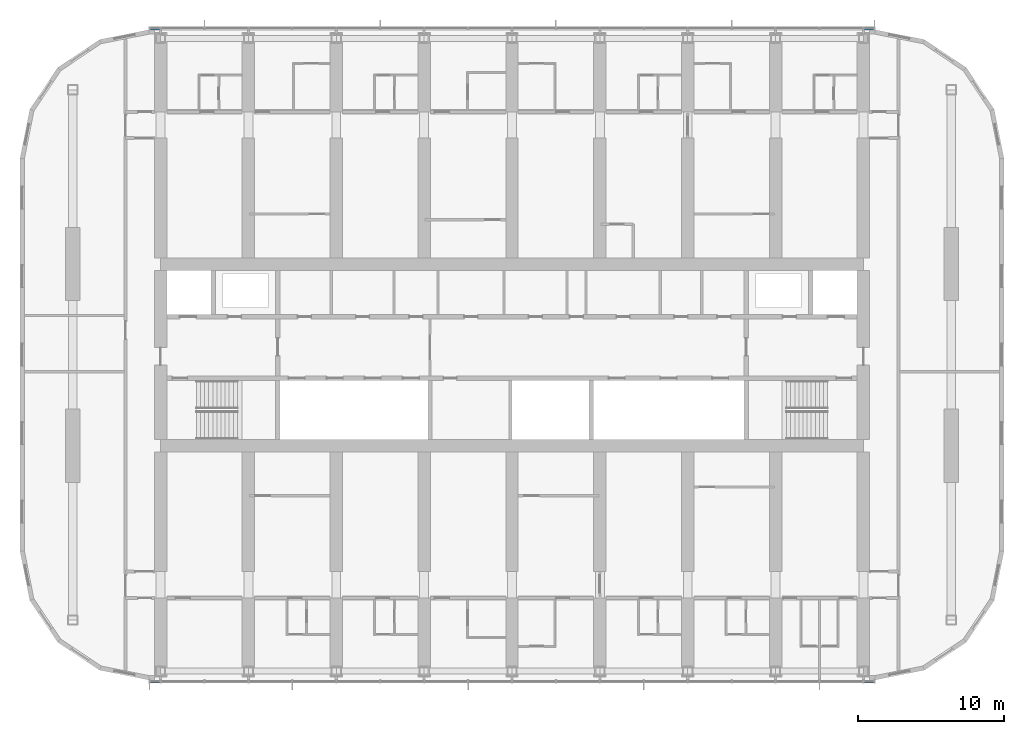
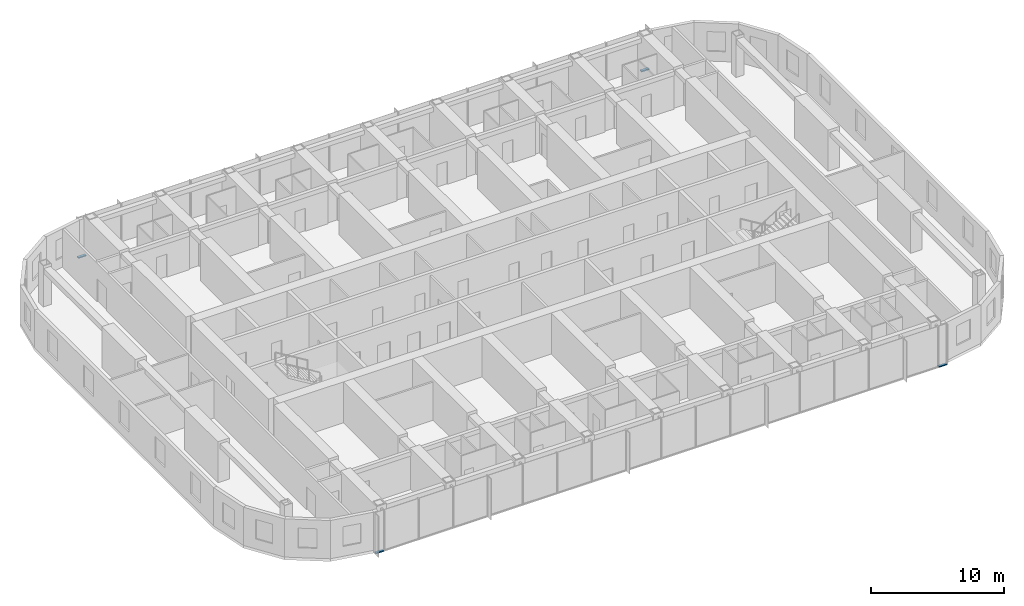
# One storey, part 6 of 22: 4 members, 2 elements without a shape of their own.
"""IFC4 building model written with IfcOpenShell, lengths in metres."""

from ifc_helpers import new_model, si_unit, direction, frame, origin, origin_2d, place, context, subcontext, project, spatial, rectangle, extrude, material, material_profile, profile_set, type_object, element, aggregate, save


model = new_model("IFC4")

# Units and contexts
model_context = context("Model", 3, precision=1e-05, world=origin(), true_north=direction((0.0, 1.0)))
body_context = subcontext(model_context, "Body", "Model", "MODEL_VIEW")
ifc_project = project(units=[si_unit("LENGTHUNIT", "METRE"), si_unit("AREAUNIT", "SQUARE_METRE"), si_unit("VOLUMEUNIT", "CUBIC_METRE"), si_unit("PLANEANGLEUNIT", "RADIAN"), si_unit("MASSUNIT", "GRAM", prefix="KILO")], contexts=[model_context])

# Site, building, storey
site_placement = place(None, origin())
site = spatial("IfcSite", under=ifc_project, at=site_placement, CompositionType="ELEMENT")
building_placement = place(site_placement, origin())
building = spatial("IfcBuilding", under=site, at=building_placement, Name="Orbita Commons", CompositionType="ELEMENT")
storey_placement = place(building_placement, frame((0.0, 0.0, 186.10009765625)))
storey = spatial("IfcBuildingStorey", under=building, at=storey_placement, Name="L46", CompositionType="ELEMENT", Elevation=186.10009765625)

# Curtain wall, members
ifc_material_1 = material(Name="Anodised aluminium frame, pale silver", Category="aluminium")
curtain_wall_type = type_object("IfcCurtainWallType", Name="Unitised curtain wall CW-U, full-height vision", PredefinedType="NOTDEFINED", material=ifc_material_1)
curtain_wall_1_placement = place(storey_placement, origin())
curtain_wall_1 = element("IfcCurtainWall", 1, at=curtain_wall_1_placement, inside=storey, type_object=curtain_wall_type, Name="Curtain wall south L46", PredefinedType="NOTDEFINED")
ifc_material_2 = material(Name="Anodised aluminium, pale silver", Category="aluminium")
ifc_material_profile = material_profile(ifc_material_2, rectangle(XDim=0.219970703125, YDim=0.10009765625, at=origin_2d()), Name="AL 220x100")
ifc_profile_set = profile_set([ifc_material_profile], Name="Anodised aluminium, pale silver")
member_type = type_object("IfcMemberType", Name="Curtain wall stack transom 220x100", PredefinedType="USERDEFINED", material=ifc_profile_set)
member_1_placement = place(storey_placement, frame((17.280029296875, 9.68994140625, -0.2001953125), z_axis=(1.0, 0.0, 0.0), x_axis=(0.0, 1.0, 0.0)))
member_1 = element("IfcMember", 2, at=member_1_placement, type_object=member_type, Name="Transom 1.1 CW-L46-S", ObjectType="TRANSOM", PredefinedType="USERDEFINED", context=body_context, shape_type="SweptSolid", body=[
    extrude(rectangle(XDim=0.219970703125, YDim=0.10009765625, at=origin_2d()), origin(), (0.0, 0.0, 1.0), 0.679931640625),
])
member_2_placement = place(storey_placement, frame((66.0400390625, 9.68994140625, -0.2001953125), z_axis=(1.0, 0.0, 0.0), x_axis=(0.0, 1.0, 0.0)))
member_2 = element("IfcMember", 3, at=member_2_placement, type_object=member_type, Name="Transom 18.1 CW-L46-S", ObjectType="TRANSOM", PredefinedType="USERDEFINED", context=body_context, shape_type="SweptSolid", body=[
    extrude(rectangle(XDim=0.219970703125, YDim=0.10009765625, at=origin_2d()), origin(), (0.0, 0.0, 1.0), 0.679931640625),
])
aggregate(curtain_wall_1, [member_1, member_2])

curtain_wall_2_placement = place(storey_placement, origin())
curtain_wall_2 = element("IfcCurtainWall", 4, at=curtain_wall_2_placement, inside=storey, type_object=curtain_wall_type, Name="Curtain wall north L46", PredefinedType="NOTDEFINED")
member_3_placement = place(storey_placement, frame((66.719970703125, 54.31005859375, -0.2001953125), z_axis=(-1.0, 0.0, 0.0), x_axis=(0.0, -1.0, 0.0)))
member_3 = element("IfcMember", 5, at=member_3_placement, type_object=member_type, Name="Transom 1.1 CW-L46-N", ObjectType="TRANSOM", PredefinedType="USERDEFINED", context=body_context, shape_type="SweptSolid", body=[
    extrude(rectangle(XDim=0.219970703125, YDim=0.10009765625, at=origin_2d()), origin(), (0.0, 0.0, 1.0), 0.679931640625),
])
member_4_placement = place(storey_placement, frame((17.9599609375, 54.31005859375, -0.2001953125), z_axis=(-1.0, 0.0, 0.0), x_axis=(0.0, -1.0, 0.0)))
member_4 = element("IfcMember", 6, at=member_4_placement, type_object=member_type, Name="Transom 18.1 CW-L46-N", ObjectType="TRANSOM", PredefinedType="USERDEFINED", context=body_context, shape_type="SweptSolid", body=[
    extrude(rectangle(XDim=0.219970703125, YDim=0.10009765625, at=origin_2d()), origin(), (0.0, 0.0, 1.0), 0.679931640625),
])
aggregate(curtain_wall_2, [member_3, member_4])

save(model, "model.ifc")
